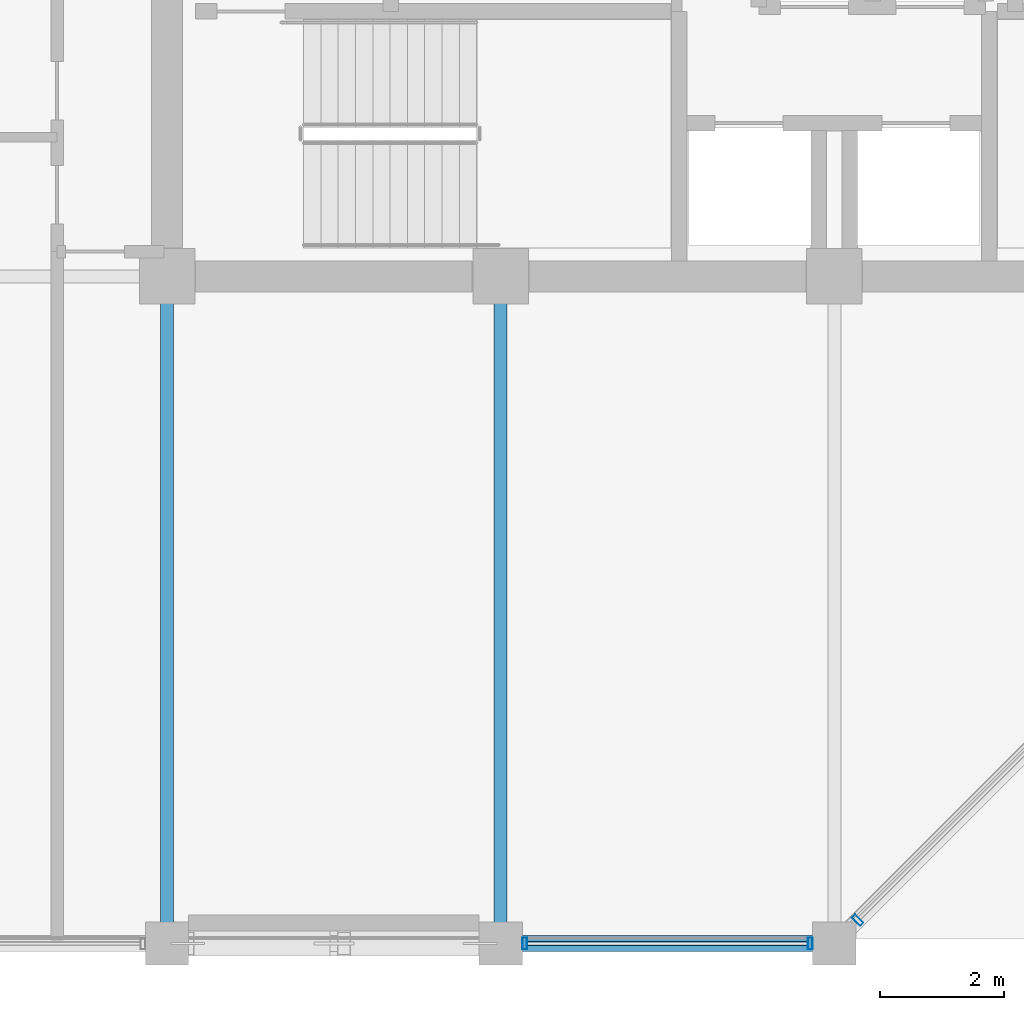
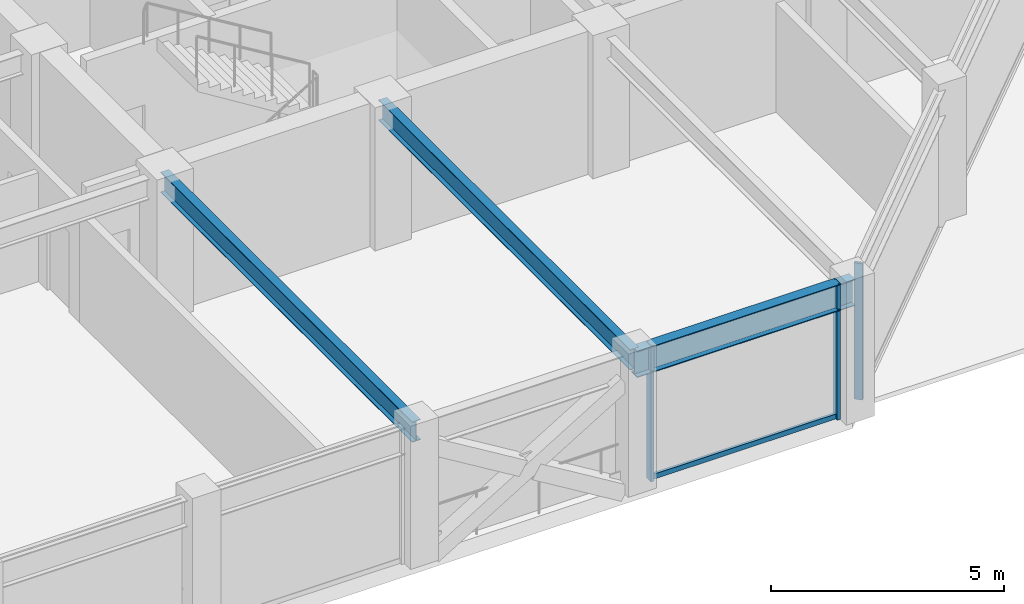
# One storey, part 6 of 34: 4 members, 3 beams, 2 elements without a shape of their own.
"""IFC4 building model written with IfcOpenShell, lengths in metres."""

from ifc_helpers import new_model, si_unit, direction, frame, origin, origin_2d, place, context, subcontext, project, spatial, hollow_rectangle, i_section, extrude, material, layer, layer_set, material_profile, profile_set, type_object, element, aggregate, save


model = new_model("IFC4")

# Units and contexts
model_context = context("Model", 3, precision=1e-05, world=origin(), true_north=direction((0.0, 1.0)))
body_context = subcontext(model_context, "Body", "Model", "MODEL_VIEW")
ifc_project = project(units=[si_unit("LENGTHUNIT", "METRE"), si_unit("AREAUNIT", "SQUARE_METRE"), si_unit("VOLUMEUNIT", "CUBIC_METRE"), si_unit("PLANEANGLEUNIT", "RADIAN"), si_unit("MASSUNIT", "GRAM", prefix="KILO")], contexts=[model_context])

# Site, building, storey
site_placement = place(None, origin())
site = spatial("IfcSite", under=ifc_project, at=site_placement, CompositionType="ELEMENT")
building_placement = place(site_placement, origin())
building = spatial("IfcBuilding", under=site, at=building_placement, Name="Surkhivell Harbour Commons", CompositionType="ELEMENT")
storey_placement = place(building_placement, frame((0.0, 0.0, 258.75)))
storey = spatial("IfcBuildingStorey", under=building, at=storey_placement, Name="L67", CompositionType="ELEMENT", Elevation=258.75)

# Beams
ifc_material_1 = material(Name="Steel S355", Category="steel")
ifc_material_profile_1 = material_profile(ifc_material_1, i_section(OverallWidth=0.2099609375, OverallDepth=0.537109375, WebThickness=0.0107421875, FlangeThickness=0.017333984375, at=origin_2d()), Name="UB533x210x101")
ifc_profile_set_1 = profile_set([ifc_material_profile_1], Name="Steel S355")
beam_type_1 = type_object("IfcBeamType", Name="BM-GRD-533B", PredefinedType="BEAM", material=ifc_profile_set_1)
for number, where, z_axis, x_axis, name in (
    (1, (-10.800048828125, -21.60009765625, 3.301513671875), (0.0, 1.0, 0.0), (-1.0, 0.0, 0.0), "L67 Floor Girder (-10.8,-21.6)"),
    (2, (-5.39990234375, -21.60009765625, 3.301513671875), (0.0, 1.0, 0.0), (-1.0, 0.0, 0.0), "L67 Floor Girder (-5.4,-21.6)"),
):
    element("IfcBeam", number, at=place(storey_placement, frame(where, z_axis=z_axis, x_axis=x_axis)), inside=storey, type_object=beam_type_1, Name=name, PredefinedType="BEAM", context=body_context, shape_type="SweptSolid", body=[
        extrude(i_section(OverallWidth=0.2099609375, OverallDepth=0.537109375, WebThickness=0.0107421875, FlangeThickness=0.017333984375, at=origin_2d()), origin(), (0.0, 0.0, 1.0), 10.800048828125),
    ])
ifc_material_profile_2 = material_profile(ifc_material_1, i_section(OverallWidth=0.256103515625, OverallDepth=0.693115234375, WebThickness=0.014404296875, FlangeThickness=0.023681640625, at=origin_2d()), Name="UB686x254x170")
ifc_profile_set_2 = profile_set([ifc_material_profile_2], Name="Steel S355")
beam_type_2 = type_object("IfcBeamType", Name="BM-SPN-686", PredefinedType="SPANDREL", material=ifc_profile_set_2)
beam_placement = place(storey_placement, frame((-5.39990234375, -21.60009765625, 3.223388671875), z_axis=(1.0, 0.0, 0.0), x_axis=(0.0, 1.0, 0.0)))
element("IfcBeam", 3, at=beam_placement, inside=storey, type_object=beam_type_2, Name="L67 Tube Spandrel (-5.4,-21.6)", PredefinedType="SPANDREL", context=body_context, shape_type="SweptSolid", body=[
    extrude(i_section(OverallWidth=0.256103515625, OverallDepth=0.693115234375, WebThickness=0.014404296875, FlangeThickness=0.023681640625, at=origin_2d()), origin(), (0.0, 0.0, 1.0), 5.39990234375),
])

# Curtain wall, members
ifc_material_2 = material(Name="Anodised pale-metal aluminium and insulated glazing", Category="aluminium")
ifc_layer = layer(ifc_material_2, 0.175048828125)
ifc_layer_set = layer_set([ifc_layer], Name="Anodised pale-metal aluminium and insulated glazing")
curtain_wall_type = type_object("IfcCurtainWallType", Name="CW-SYS-Z4", PredefinedType="NOTDEFINED", material=ifc_layer_set)
curtain_wall_1_placement = place(storey_placement, origin())
curtain_wall_1 = element("IfcCurtainWall", 4, at=curtain_wall_1_placement, inside=storey, type_object=curtain_wall_type, Name="L67 Curtain Wall CW-L67-E00S2", PredefinedType="NOTDEFINED")
ifc_material_3 = material(Name="Anodised pale-metal aluminium alloy 6063-T6", Category="aluminium")
ifc_material_profile_3 = material_profile(ifc_material_3, hollow_rectangle(XDim=0.074951171875, YDim=0.18994140625, WallThickness=0.00390625, at=origin_2d()), Name="ALU-MULL-75x190")
ifc_profile_set_3 = profile_set([ifc_material_profile_3], Name="Anodised pale-metal aluminium alloy 6063-T6")
member_type_1 = type_object("IfcMemberType", Name="CWM-190", PredefinedType="MULLION", material=ifc_profile_set_3)
member_1_placement = place(storey_placement, frame((-5.010498046875, -21.60009765625, 0.0), z_axis=(0.0, 0.0, 1.0), x_axis=(1.0, 0.0, 0.0)))
member_1 = element("IfcMember", 5, at=member_1_placement, type_object=member_type_1, Name="CW-Z4 mullion 1", PredefinedType="MULLION", context=body_context, shape_type="SweptSolid", body=[
    extrude(hollow_rectangle(XDim=0.074951171875, YDim=0.18994140625, WallThickness=0.00390625, at=origin_2d()), origin(), (0.0, 0.0, 1.0), 3.570068359375),
])
member_2_placement = place(storey_placement, frame((-0.389404296875, -21.60009765625, 0.0), z_axis=(0.0, 0.0, 1.0), x_axis=(1.0, 0.0, 0.0)))
member_2 = element("IfcMember", 6, at=member_2_placement, type_object=member_type_1, Name="CW-Z4 mullion 2", PredefinedType="MULLION", context=body_context, shape_type="SweptSolid", body=[
    extrude(hollow_rectangle(XDim=0.074951171875, YDim=0.18994140625, WallThickness=0.00390625, at=origin_2d()), origin(), (0.0, 0.0, 1.0), 3.570068359375),
])

# Curtain wall, member
curtain_wall_2_placement = place(storey_placement, origin())
curtain_wall_2 = element("IfcCurtainWall", 7, at=curtain_wall_2_placement, inside=storey, type_object=curtain_wall_type, Name="L67 Curtain Wall CW-L67-E01", PredefinedType="NOTDEFINED")
member_3_placement = place(storey_placement, frame((0.378173828125, -21.221923828125, 0.0), z_axis=(0.0, 0.0, 1.0), x_axis=(0.707106781187, 0.707106781187, 0.0)))
member_3 = element("IfcMember", 8, at=member_3_placement, type_object=member_type_1, Name="CW-Z4 mullion 1", PredefinedType="MULLION", context=body_context, shape_type="SweptSolid", body=[
    extrude(hollow_rectangle(XDim=0.074951171875, YDim=0.18994140625, WallThickness=0.00390625, at=origin_2d()), origin(), (0.0, 0.0, 1.0), 3.570068359375),
])
aggregate(curtain_wall_2, [member_3])

# Member
ifc_material_4 = material(Name="Champagne anodised aluminium alloy 6063-T6", Category="aluminium")
ifc_material_profile_4 = material_profile(ifc_material_4, hollow_rectangle(XDim=0.070068359375, YDim=0.1298828125, WallThickness=0.00341796875, at=origin_2d()), Name="ALU-TRAN-70x130")
ifc_profile_set_4 = profile_set([ifc_material_profile_4], Name="Champagne anodised aluminium alloy 6063-T6")
member_type_2 = type_object("IfcMemberType", Name="CWT-130", PredefinedType="USERDEFINED", material=ifc_profile_set_4)
member_4_placement = place(storey_placement, frame((-4.972900390625, -21.60009765625, 0.06494140625), z_axis=(1.0, 0.0, 0.0), x_axis=(0.0, 1.0, 0.0)))
member_4 = element("IfcMember", 9, at=member_4_placement, type_object=member_type_2, Name="CW-Z4 transom 1.1", ObjectType="TRANSOM", PredefinedType="USERDEFINED", context=body_context, shape_type="SweptSolid", body=[
    extrude(hollow_rectangle(XDim=0.070068359375, YDim=0.1298828125, WallThickness=0.00341796875, at=origin_2d()), origin(), (0.0, 0.0, 1.0), 4.5458984375),
])

aggregate(curtain_wall_1, [member_1, member_2, member_4])

save(model, "model.ifc")
